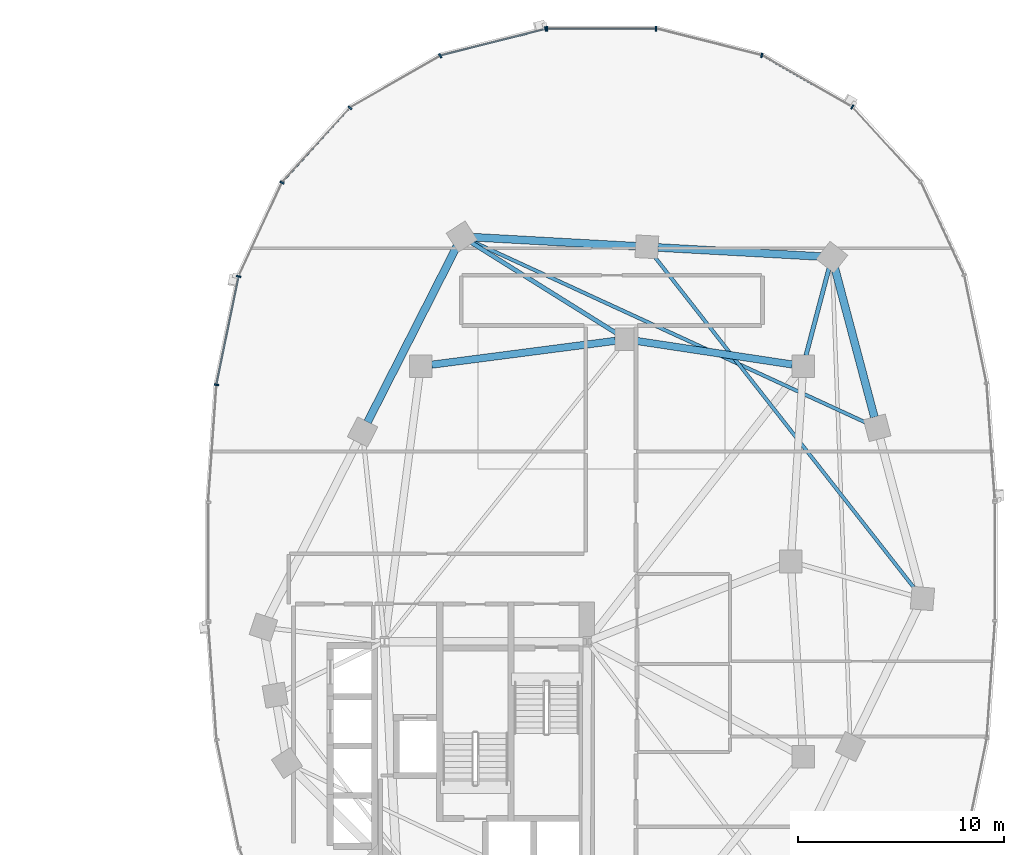
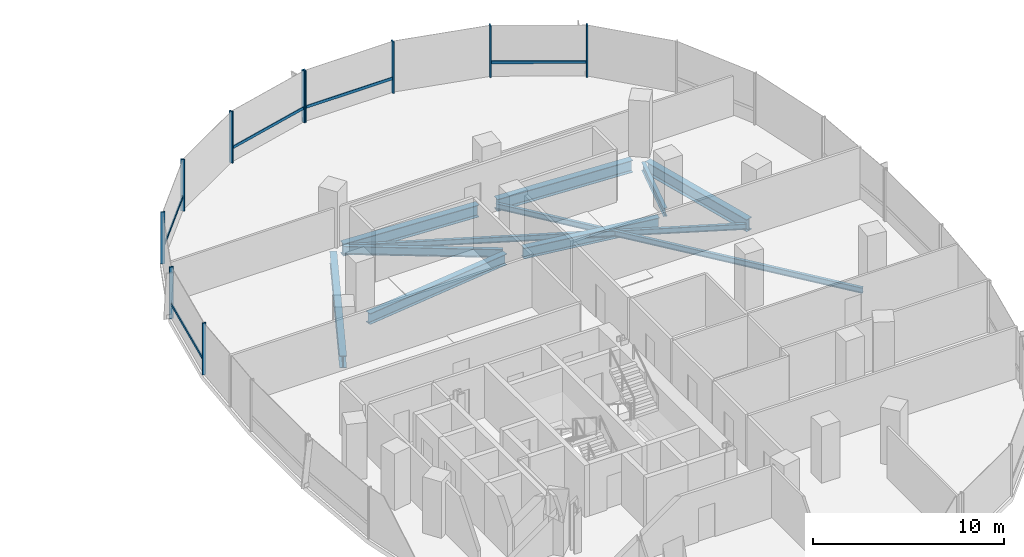
# One storey, part 7 of 21: 15 members, 10 beams, 2 elements without a shape of their own.
"""IFC4 building model written with IfcOpenShell, lengths in metres."""

from ifc_helpers import new_model, si_unit, direction, frame, origin, origin_2d, place, context, subcontext, project, spatial, rectangle, i_section, extrude, material, material_profile, profile_set, type_object, element, aggregate, save


model = new_model("IFC4")

# Units and contexts
model_context = context("Model", 3, precision=1e-05, world=origin(), true_north=direction((0.0, 1.0)))
body_context = subcontext(model_context, "Body", "Model", "MODEL_VIEW")
ifc_project = project(units=[si_unit("LENGTHUNIT", "METRE"), si_unit("AREAUNIT", "SQUARE_METRE"), si_unit("VOLUMEUNIT", "CUBIC_METRE"), si_unit("PLANEANGLEUNIT", "RADIAN"), si_unit("MASSUNIT", "GRAM", prefix="KILO"), si_unit("THERMODYNAMICTEMPERATUREUNIT", "KELVIN"), si_unit("POWERUNIT", "WATT")], contexts=[model_context])

# Site, building, storey
site_placement = place(None, origin())
site = spatial("IfcSite", under=ifc_project, at=site_placement, CompositionType="ELEMENT")
building_placement = place(site_placement, origin())
building = spatial("IfcBuilding", under=site, at=building_placement, Name="Cundina Bronze Exchange", CompositionType="ELEMENT")
storey_placement = place(building_placement, frame((0.0, 0.0, 114.199951171875)))
storey = spatial("IfcBuildingStorey", under=building, at=storey_placement, Name="L29", CompositionType="ELEMENT", Elevation=114.199951171875)

# Beams
ifc_material_1 = material(Name="Steel ASTM A992 Grade 50", Category="steel")
ifc_material_profile_1 = material_profile(ifc_material_1, i_section(OverallWidth=0.2099609375, OverallDepth=0.532958984375, WebThickness=0.01025390625, FlangeThickness=0.015625, FilletRadius=0.013916015625, at=origin_2d()), Name="W21X62", Category="steel")
ifc_profile_set_1 = profile_set([ifc_material_profile_1], Name="Steel ASTM A992 Grade 50")
beam_type_1 = type_object("IfcBeamType", Name="BM-FLR-W21B", PredefinedType="BEAM", material=ifc_profile_set_1)
beam_1_placement = place(storey_placement, frame((41.9375, 10.020263671875, -0.56640625), z_axis=(0.255357891402, 0.966846599673, 0.0), x_axis=(-0.966846599673, 0.255357891402, 0.0)))
element("IfcBeam", 1, at=beam_1_placement, inside=storey, type_object=beam_type_1, Name="L29 Leg E Chordal Floor Beam 10", PredefinedType="BEAM", context=body_context, shape_type="SweptSolid", body=[
    extrude(i_section(OverallWidth=0.2099609375, OverallDepth=0.532958984375, WebThickness=0.01025390625, FlangeThickness=0.015625, FilletRadius=0.013916015625, at=origin_2d()), origin(), (0.0, 0.0, 1.0), 4.405517578125),
])
beam_2_placement = place(storey_placement, frame((32.743896484375, 11.085205078125, -0.56640625), z_axis=(-0.848003227047, 0.529991063055, 0.0), x_axis=(-0.529991063055, -0.848003227047, 0.0)))
element("IfcBeam", 2, at=beam_2_placement, inside=storey, type_object=beam_type_1, Name="L29 Leg E Chordal Floor Beam 12", PredefinedType="BEAM", context=body_context, shape_type="SweptSolid", body=[
    extrude(i_section(OverallWidth=0.2099609375, OverallDepth=0.532958984375, WebThickness=0.01025390625, FlangeThickness=0.015625, FilletRadius=0.013916015625, at=origin_2d()), origin(), (0.0, 0.0, 1.0), 8.358154296875),
])
ifc_material_profile_2 = material_profile(ifc_material_1, i_section(OverallWidth=0.172119140625, OverallDepth=0.35791015625, WebThickness=0.0078125, FlangeThickness=0.01318359375, FilletRadius=0.010009765625, at=origin_2d()), Name="W14X38", Category="steel")
ifc_profile_set_2 = profile_set([ifc_material_profile_2], Name="Steel ASTM A992 Grade 50")
beam_type_2 = type_object("IfcBeamType", Name="BM-JST-W14", PredefinedType="JOIST", material=ifc_profile_set_2)
beam_3_placement = place(storey_placement, frame((47.268310546875, -1.37646484375, -0.47900390625), z_axis=(-0.616815348306, 0.787107887201, 0.0), x_axis=(-0.787107887201, -0.616815348306, 0.0)))
element("IfcBeam", 3, at=beam_3_placement, inside=storey, type_object=beam_type_2, Name="L29 Leg E Lobe Floor Joist 08-11", PredefinedType="JOIST", context=body_context, shape_type="SweptSolid", body=[
    extrude(i_section(OverallWidth=0.172119140625, OverallDepth=0.35791015625, WebThickness=0.0078125, FlangeThickness=0.01318359375, FilletRadius=0.010009765625, at=origin_2d()), origin(), (0.0, 0.0, 1.0), 20.64892578125),
])
beam_4_placement = place(storey_placement, frame((44.911376953125, 6.72509765625, -0.47900390625), z_axis=(-0.908357076874, 0.41819543385, 0.0), x_axis=(-0.41819543385, -0.908357076874, 0.0)))
element("IfcBeam", 4, at=beam_4_placement, inside=storey, type_object=beam_type_2, Name="L29 Leg E Lobe Floor Joist 09-12", PredefinedType="JOIST", context=body_context, shape_type="SweptSolid", body=[
    extrude(i_section(OverallWidth=0.172119140625, OverallDepth=0.35791015625, WebThickness=0.0078125, FlangeThickness=0.01318359375, FilletRadius=0.010009765625, at=origin_2d()), origin(), (0.0, 0.0, 1.0), 21.162109375),
])
ifc_material_profile_3 = material_profile(ifc_material_1, i_section(OverallWidth=0.35498046875, OverallDepth=0.695068359375, WebThickness=0.015380859375, FlangeThickness=0.02490234375, FilletRadius=0.01806640625, at=origin_2d()), Name="W27X146", Category="steel")
ifc_profile_set_3 = profile_set([ifc_material_profile_3], Name="Steel ASTM A992 Grade 50")
beam_type_3 = type_object("IfcBeamType", Name="BM-RING-W27", PredefinedType="USERDEFINED", material=ifc_profile_set_3)
beam_5_placement = place(storey_placement, frame((41.26806640625, 9.580322265625, -0.6474609375), z_axis=(-0.988767489563, 0.149461873341, 0.0), x_axis=(-0.149461873341, -0.988767489563, 0.0)))
element("IfcBeam", 5, at=beam_5_placement, inside=storey, type_object=beam_type_3, Name="L29 E Inner Structural Ring Girder 05", ObjectType="GIRDER", PredefinedType="USERDEFINED", context=body_context, shape_type="SweptSolid", body=[
    extrude(i_section(OverallWidth=0.35498046875, OverallDepth=0.695068359375, WebThickness=0.015380859375, FlangeThickness=0.02490234375, FilletRadius=0.01806640625, at=origin_2d()), origin(), (0.0, 0.0, 1.0), 7.621826171875),
])
beam_6_placement = place(storey_placement, frame((32.66650390625, 10.730712890625, -0.6474609375), z_axis=(-0.991654577907, -0.128923225666, 0.0), x_axis=(0.128923225666, -0.991654577907, 0.0)))
element("IfcBeam", 6, at=beam_6_placement, inside=storey, type_object=beam_type_3, Name="L29 E Inner Structural Ring Girder 06", ObjectType="GIRDER", PredefinedType="USERDEFINED", context=body_context, shape_type="SweptSolid", body=[
    extrude(i_section(OverallWidth=0.35498046875, OverallDepth=0.695068359375, WebThickness=0.015380859375, FlangeThickness=0.02490234375, FilletRadius=0.01806640625, at=origin_2d()), origin(), (0.0, 0.0, 1.0), 9.00830078125),
])
ifc_material_profile_4 = material_profile(ifc_material_1, i_section(OverallWidth=0.381103515625, OverallDepth=0.77294921875, WebThickness=0.0166015625, FlangeThickness=0.027099609375, FilletRadius=0.01904296875, at=origin_2d()), Name="W30X173", Category="steel")
ifc_profile_set_4 = profile_set([ifc_material_profile_4], Name="Steel ASTM A992 Grade 50")
beam_type_4 = type_object("IfcBeamType", Name="BM-RING-W30", PredefinedType="USERDEFINED", material=ifc_profile_set_4)
beam_7_placement = place(storey_placement, frame((45.26220703125, 7.02001953125, -0.6865234375), z_axis=(-0.256209719931, 0.966621218168, 0.0), x_axis=(-0.966621218168, -0.256209719931, 0.0)))
element("IfcBeam", 7, at=beam_7_placement, inside=storey, type_object=beam_type_4, Name="L29 E Perimeter Ring Girder 09", ObjectType="GIRDER", PredefinedType="USERDEFINED", context=body_context, shape_type="SweptSolid", body=[
    extrude(i_section(OverallWidth=0.381103515625, OverallDepth=0.77294921875, WebThickness=0.0166015625, FlangeThickness=0.027099609375, FilletRadius=0.01904296875, at=origin_2d()), origin(), (0.0, 0.0, 1.0), 7.5107421875),
])
for number, where, z_axis, x_axis, name in (
    (8, (42.662841796875, 14.829833984375, -0.6865234375), (-0.99845950136, 0.055485350721, 0.0), (-0.055485350721, -0.99845950136, 0.0), "L29 E Perimeter Ring Girder 10"),
    (9, (33.662841796875, 15.329833984375, -0.6865234375), (-0.99845950136, 0.055485350721, 0.0), (-0.055485350721, -0.99845950136, 0.0), "L29 E Perimeter Ring Girder 11"),
):
    element("IfcBeam", number, at=place(storey_placement, frame(where, z_axis=z_axis, x_axis=x_axis)), inside=storey, type_object=beam_type_4, Name=name, ObjectType="GIRDER", PredefinedType="USERDEFINED", context=body_context, shape_type="SweptSolid", body=[
        extrude(i_section(OverallWidth=0.381103515625, OverallDepth=0.77294921875, WebThickness=0.0166015625, FlangeThickness=0.027099609375, FilletRadius=0.01904296875, at=origin_2d()), origin(), (0.0, 0.0, 1.0), 7.937744140625),
    ])
beam_8_placement = place(storey_placement, frame((24.956298828125, 15.3203125, -0.6865234375), z_axis=(-0.452832332744, -0.891595692241, 0.0), x_axis=(0.891595692241, -0.452832332744, 0.0)))
element("IfcBeam", 10, at=beam_8_placement, inside=storey, type_object=beam_type_4, Name="L29 E Perimeter Ring Girder 12", ObjectType="GIRDER", PredefinedType="USERDEFINED", context=body_context, shape_type="SweptSolid", body=[
    extrude(i_section(OverallWidth=0.381103515625, OverallDepth=0.77294921875, WebThickness=0.0166015625, FlangeThickness=0.027099609375, FilletRadius=0.01904296875, at=origin_2d()), origin(), (0.0, 0.0, 1.0), 9.578857421875),
])

# Curtain wall, members
ifc_material_2 = material(Name="Anodised Bronze Aluminium 6063-T6", Category="aluminium")
curtain_wall_type = type_object("IfcCurtainWallType", Name="CWS-TRD-MID", PredefinedType="NOTDEFINED", material=ifc_material_2)
curtain_wall_1_placement = place(storey_placement, origin())
curtain_wall_1 = element("IfcCurtainWall", 11, at=curtain_wall_1_placement, inside=storey, type_object=curtain_wall_type, Name="L29 CW-03 Curtain Wall Run CWR-L29-E1", PredefinedType="NOTDEFINED")
ifc_material_profile_5 = material_profile(ifc_material_2, rectangle(XDim=0.074951171875, YDim=0.219970703125, at=origin_2d()), Name="AL75X220", Category="aluminium")
ifc_profile_set_5 = profile_set([ifc_material_profile_5], Name="Anodised Bronze Aluminium 6063-T6")
member_type_1 = type_object("IfcMemberType", Name="CWM-MUL-220", PredefinedType="MULLION", material=ifc_profile_set_5)
member_1_placement = place(storey_placement, frame((44.189697265625, 22.097412109375, 0.0), z_axis=(0.0, 0.0, 1.0), x_axis=(-0.867070701164, 0.498185105339, 0.0)))
member_1 = element("IfcMember", 12, at=member_1_placement, type_object=member_type_1, Name="CW-03 Mullion 5", PredefinedType="MULLION", context=body_context, shape_type="SweptSolid", body=[
    extrude(rectangle(XDim=0.074951171875, YDim=0.219970703125, at=origin_2d()), origin(), (0.0, 0.0, 1.0), 3.300048828125),
])
member_2_placement = place(storey_placement, frame((39.78515625, 24.61669921875, 0.0), z_axis=(0.0, 0.0, 1.0), x_axis=(-0.969488149345, 0.245138182011, 0.0)))
member_2 = element("IfcMember", 13, at=member_2_placement, type_object=member_type_1, Name="CW-03 Mullion 6", PredefinedType="MULLION", context=body_context, shape_type="SweptSolid", body=[
    extrude(rectangle(XDim=0.074951171875, YDim=0.219970703125, at=origin_2d()), origin(), (0.0, 0.0, 1.0), 3.300048828125),
])
member_3_placement = place(storey_placement, frame((34.654541015625, 25.905029296875, 0.0), z_axis=(0.0, 0.0, 1.0), x_axis=(-1.0, 0.0, 0.0)))
member_3 = element("IfcMember", 14, at=member_3_placement, type_object=member_type_1, Name="CW-03 Mullion 7", PredefinedType="MULLION", context=body_context, shape_type="SweptSolid", body=[
    extrude(rectangle(XDim=0.074951171875, YDim=0.219970703125, at=origin_2d()), origin(), (0.0, 0.0, 1.0), 3.300048828125),
])
member_4_placement = place(storey_placement, frame((29.345458984375, 25.905029296875, 0.0), z_axis=(0.0, 0.0, 1.0), x_axis=(-1.0, 0.0, 0.0)))
member_4 = element("IfcMember", 15, at=member_4_placement, type_object=member_type_1, Name="CW-03 End Mullion", PredefinedType="MULLION", context=body_context, shape_type="SweptSolid", body=[
    extrude(rectangle(XDim=0.074951171875, YDim=0.219970703125, at=origin_2d()), origin(), (0.0, 0.0, 1.0), 3.300048828125),
])

curtain_wall_2_placement = place(storey_placement, origin())
curtain_wall_2 = element("IfcCurtainWall", 16, at=curtain_wall_2_placement, inside=storey, type_object=curtain_wall_type, Name="L29 CW-03 Curtain Wall Run CWR-L29-E2", PredefinedType="NOTDEFINED")
member_5_placement = place(storey_placement, frame((29.27392578125, 25.89599609375, 0.0), z_axis=(0.0, 0.0, 1.0), x_axis=(-0.969488149345, -0.245138182011, 0.0)))
member_5 = element("IfcMember", 17, at=member_5_placement, type_object=member_type_1, Name="CW-03 Mullion 1", PredefinedType="MULLION", context=body_context, shape_type="SweptSolid", body=[
    extrude(rectangle(XDim=0.074951171875, YDim=0.219970703125, at=origin_2d()), origin(), (0.0, 0.0, 1.0), 3.300048828125),
])
member_6_placement = place(storey_placement, frame((24.151123046875, 24.591064453125, 0.0), z_axis=(0.0, 0.0, 1.0), x_axis=(-0.867070701164, -0.498185105339, 0.0)))
member_6 = element("IfcMember", 18, at=member_6_placement, type_object=member_type_1, Name="CW-03 Mullion 2", PredefinedType="MULLION", context=body_context, shape_type="SweptSolid", body=[
    extrude(rectangle(XDim=0.074951171875, YDim=0.219970703125, at=origin_2d()), origin(), (0.0, 0.0, 1.0), 3.300048828125),
])
member_7_placement = place(storey_placement, frame((19.760498046875, 22.0576171875, 0.0), z_axis=(0.0, 0.0, 1.0), x_axis=(-0.674302387584, -0.738455340626, 0.0)))
member_7 = element("IfcMember", 19, at=member_7_placement, type_object=member_type_1, Name="CW-03 Mullion 3", PredefinedType="MULLION", context=body_context, shape_type="SweptSolid", body=[
    extrude(rectangle(XDim=0.074951171875, YDim=0.219970703125, at=origin_2d()), origin(), (0.0, 0.0, 1.0), 3.300048828125),
])
member_8_placement = place(storey_placement, frame((16.455810546875, 18.423583984375, 0.0), z_axis=(0.0, 0.0, 1.0), x_axis=(-0.42087749791, -0.907117485088, 0.0)))
member_8 = element("IfcMember", 20, at=member_8_placement, type_object=member_type_1, Name="CW-03 Mullion 4", PredefinedType="MULLION", context=body_context, shape_type="SweptSolid", body=[
    extrude(rectangle(XDim=0.074951171875, YDim=0.219970703125, at=origin_2d()), origin(), (0.0, 0.0, 1.0), 3.300048828125),
])
member_9_placement = place(storey_placement, frame((14.348876953125, 13.861328125, 0.0), z_axis=(0.0, 0.0, 1.0), x_axis=(-0.201419845156, -0.979505000486, 0.0)))
member_9 = element("IfcMember", 21, at=member_9_placement, type_object=member_type_1, Name="CW-03 Mullion 5", PredefinedType="MULLION", context=body_context, shape_type="SweptSolid", body=[
    extrude(rectangle(XDim=0.074951171875, YDim=0.219970703125, at=origin_2d()), origin(), (0.0, 0.0, 1.0), 3.300048828125),
])
member_10_placement = place(storey_placement, frame((13.27099609375, 8.591552734375, 0.0), z_axis=(0.0, 0.0, 1.0), x_axis=(-0.070278787473, -0.997527389113, 0.0)))
member_10 = element("IfcMember", 22, at=member_10_placement, type_object=member_type_1, Name="CW-03 Mullion 6", PredefinedType="MULLION", context=body_context, shape_type="SweptSolid", body=[
    extrude(rectangle(XDim=0.074951171875, YDim=0.219970703125, at=origin_2d()), origin(), (0.0, 0.0, 1.0), 3.300048828125),
])

# Member
ifc_material_profile_6 = material_profile(ifc_material_2, rectangle(XDim=0.070068359375, YDim=0.179931640625, at=origin_2d()), Name="AL70X180", Category="aluminium")
ifc_profile_set_6 = profile_set([ifc_material_profile_6], Name="Anodised Bronze Aluminium 6063-T6")
member_type_2 = type_object("IfcMemberType", Name="CWM-TRN-180", PredefinedType="USERDEFINED", material=ifc_profile_set_6)
member_11_placement = place(storey_placement, frame((44.154052734375, 22.117919921875, 0.920166015625), z_axis=(-0.867097475651, 0.498138502546, 0.0), x_axis=(-0.498138502546, -0.867097475651, 0.0)))
member_11 = element("IfcMember", 23, at=member_11_placement, type_object=member_type_2, Name="CW-03 Spandrel Transom 5", ObjectType="TRANSOM", PredefinedType="USERDEFINED", context=body_context, shape_type="SweptSolid", body=[
    extrude(rectangle(XDim=0.070068359375, YDim=0.179931640625, at=origin_2d()), origin(), (0.0, 0.0, 1.0), 5.00634765625),
])

member_12_placement = place(storey_placement, frame((34.61328125, 25.905029296875, 0.920166015625), z_axis=(-1.0, 0.0, 0.0), x_axis=(0.0, -1.0, 0.0)))
member_12 = element("IfcMember", 24, at=member_12_placement, type_object=member_type_2, Name="CW-03 Spandrel Transom 7", ObjectType="TRANSOM", PredefinedType="USERDEFINED", context=body_context, shape_type="SweptSolid", body=[
    extrude(rectangle(XDim=0.070068359375, YDim=0.179931640625, at=origin_2d()), origin(), (0.0, 0.0, 1.0), 5.2265625),
])

aggregate(curtain_wall_1, [member_1, member_11, member_2, member_3, member_4, member_12])

member_13_placement = place(storey_placement, frame((29.23388671875, 25.885986328125, 0.920166015625), z_axis=(-0.969483968866, -0.245154714644, 0.0), x_axis=(0.245154714644, -0.969483968866, 0.0)))
member_13 = element("IfcMember", 25, at=member_13_placement, type_object=member_type_2, Name="CW-03 Spandrel Transom 1", ObjectType="TRANSOM", PredefinedType="USERDEFINED", context=body_context, shape_type="SweptSolid", body=[
    extrude(rectangle(XDim=0.070068359375, YDim=0.179931640625, at=origin_2d()), origin(), (0.0, 0.0, 1.0), 5.21826171875),
])

member_14_placement = place(storey_placement, frame((19.73291015625, 22.027099609375, 0.920166015625), z_axis=(-0.674302794847, -0.738454968743, 0.0), x_axis=(0.738454968743, -0.674302794847, 0.0)))
member_14 = element("IfcMember", 26, at=member_14_placement, type_object=member_type_2, Name="CW-03 Spandrel Transom 3", ObjectType="TRANSOM", PredefinedType="USERDEFINED", context=body_context, shape_type="SweptSolid", body=[
    extrude(rectangle(XDim=0.070068359375, YDim=0.179931640625, at=origin_2d()), origin(), (0.0, 0.0, 1.0), 4.848388671875),
])

member_15_placement = place(storey_placement, frame((14.340576171875, 13.821044921875, 0.920166015625), z_axis=(-0.201427712708, -0.979503382615, 0.0), x_axis=(0.979503382615, -0.201427712708, 0.0)))
member_15 = element("IfcMember", 27, at=member_15_placement, type_object=member_type_2, Name="CW-03 Spandrel Transom 5", ObjectType="TRANSOM", PredefinedType="USERDEFINED", context=body_context, shape_type="SweptSolid", body=[
    extrude(rectangle(XDim=0.070068359375, YDim=0.179931640625, at=origin_2d()), origin(), (0.0, 0.0, 1.0), 5.291748046875),
])

aggregate(curtain_wall_2, [member_5, member_13, member_6, member_7, member_14, member_8, member_9, member_15, member_10])

save(model, "model.ifc")
